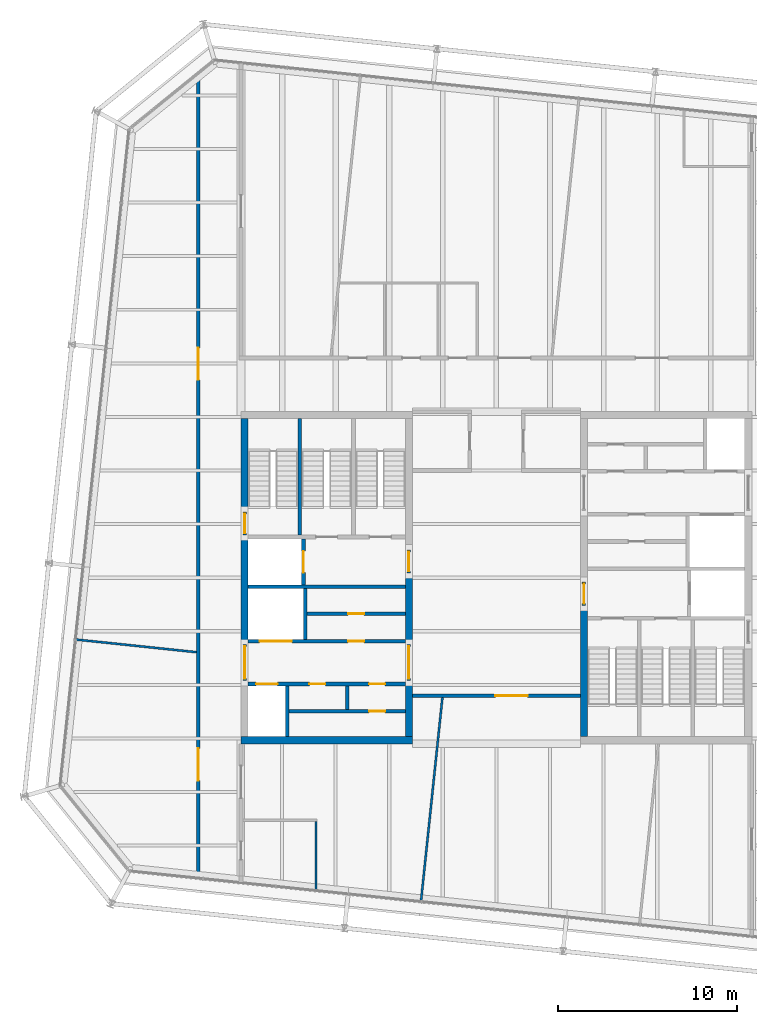
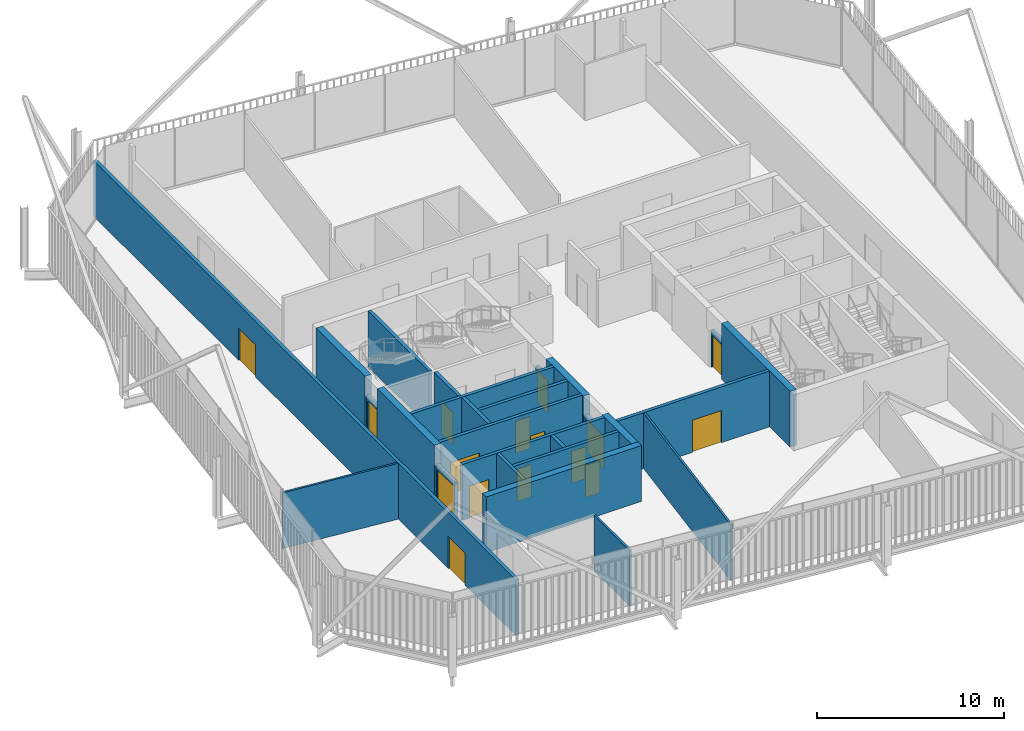
# One storey, part 17 of 21: 26 walls, 16 doors, 16 openings.
"""IFC4 building model written with IfcOpenShell, lengths in metres."""

from ifc_helpers import new_model, si_unit, direction, frame, frame_2d, origin, place, context, subcontext, project, spatial, rectangle, extrude, material, layer, layer_set, type_object, element, fill, save


model = new_model("IFC4")

# Units and contexts
model_context = context("Model", 3, precision=1e-05, world=origin(), true_north=direction((0.0, 1.0)))
body_context = subcontext(model_context, "Body", "Model", "MODEL_VIEW")
ifc_project = project(units=[si_unit("LENGTHUNIT", "METRE"), si_unit("AREAUNIT", "SQUARE_METRE"), si_unit("VOLUMEUNIT", "CUBIC_METRE"), si_unit("PLANEANGLEUNIT", "RADIAN"), si_unit("MASSUNIT", "GRAM", prefix="KILO")], contexts=[model_context])

# Site, building, storey
site_placement = place(None, origin())
site = spatial("IfcSite", under=ifc_project, at=site_placement, CompositionType="ELEMENT")
building_placement = place(site_placement, origin())
building = spatial("IfcBuilding", under=site, at=building_placement, Name="Millrace Tower", CompositionType="ELEMENT")
storey_placement = place(building_placement, frame((0.0, 0.0, 307.199951171875)))
storey = spatial("IfcBuildingStorey", under=building, at=storey_placement, Name="L71", CompositionType="ELEMENT", Elevation=307.199951171875)

# Walls
ifc_material_1 = material(Name="Concrete C60", Category="concrete")
ifc_layer_1 = layer(ifc_material_1, 0.39990234375)
ifc_layer_set_1 = layer_set([ifc_layer_1], Name="Concrete C60")
wall_type_1 = type_object("IfcWallType", Name="Core wall 400 Concrete C60", PredefinedType="SHEAR", material=ifc_layer_set_1)
wall_1_placement = place(storey_placement, frame((-14.300048828125, -9.10009765625, 0.0), z_axis=(0.0, 0.0, 1.0), x_axis=(1.0, 0.0, 0.0)))
element("IfcWall", 1, at=wall_1_placement, inside=storey, type_object=wall_type_1, Name="Core wall W L71", PredefinedType="SHEAR", context=body_context, shape_type="SweptSolid", body=[
    extrude(rectangle(XDim=9.60009765625, YDim=0.39990234375, at=frame_2d((4.800048828125, 0.0))), origin(), (0.0, 0.0, 1.0), 3.650146484375),
])
wall_2_placement = place(storey_placement, frame((-14.10009765625, -3.75, 0.0), z_axis=(0.0, 0.0, 1.0), x_axis=(0.0, 1.0, 0.0)))
element("IfcWall", 2, at=wall_2_placement, inside=storey, type_object=wall_type_1, Name="Core wall W L71", PredefinedType="SHEAR", context=body_context, shape_type="SweptSolid", body=[
    extrude(rectangle(XDim=6.1298828125, YDim=0.39990234375, at=frame_2d((3.06494140625, 0.0))), origin(), (0.0, 0.0, 1.0), 3.650146484375),
])
wall_3_placement = place(storey_placement, frame((-14.10009765625, 3.679931640625, 0.0), z_axis=(0.0, 0.0, 1.0), x_axis=(0.0, 1.0, 0.0)))
element("IfcWall", 3, at=wall_3_placement, inside=storey, type_object=wall_type_1, Name="Core wall W L71", PredefinedType="SHEAR", context=body_context, shape_type="SweptSolid", body=[
    extrude(rectangle(XDim=5.219970703125, YDim=0.39990234375, at=frame_2d((2.60986328125, 0.0))), origin(), (0.0, 0.0, 1.0), 3.650146484375),
])
wall_4_placement = place(storey_placement, frame((-4.89990234375, -8.89990234375, 0.0), z_axis=(0.0, 0.0, 1.0), x_axis=(0.0, 1.0, 0.0)))
element("IfcWall", 4, at=wall_4_placement, inside=storey, type_object=wall_type_1, Name="Core wall W L71", PredefinedType="SHEAR", context=body_context, shape_type="SweptSolid", body=[
    extrude(rectangle(XDim=3.14990234375, YDim=0.39990234375, at=frame_2d((1.574951171875, 0.0))), origin(), (0.0, 0.0, 1.0), 3.650146484375),
])
wall_5_placement = place(storey_placement, frame((-4.89990234375, -3.75, 0.0), z_axis=(0.0, 0.0, 1.0), x_axis=(0.0, 1.0, 0.0)))
element("IfcWall", 5, at=wall_5_placement, inside=storey, type_object=wall_type_1, Name="Core wall W L71", PredefinedType="SHEAR", context=body_context, shape_type="SweptSolid", body=[
    extrude(rectangle(XDim=4.0, YDim=0.39990234375, at=frame_2d((2.0, 0.0))), origin(), (0.0, 0.0, 1.0), 3.650146484375),
])
wall_6_placement = place(storey_placement, frame((4.89990234375, -1.550048828125, 0.0), z_axis=(0.0, 0.0, 1.0), x_axis=(0.0, -1.0, 0.0)))
element("IfcWall", 6, at=wall_6_placement, inside=storey, type_object=wall_type_1, Name="Core wall E L71", PredefinedType="SHEAR", context=body_context, shape_type="SweptSolid", body=[
    extrude(rectangle(XDim=7.349853515625, YDim=0.39990234375, at=frame_2d((3.6748046875, 0.0))), origin(), (0.0, 0.0, 1.0), 3.650146484375),
])

# Wall, opening, door
ifc_material_2 = material(Name="Masonry partition, fire-rated", Category="masonry")
ifc_layer_2 = layer(ifc_material_2, 0.199951171875)
ifc_layer_set_2 = layer_set([ifc_layer_2], Name="Masonry partition, fire-rated")
wall_type_2 = type_object("IfcWallType", Name="Corridor wall 200", PredefinedType="PARTITIONING", material=ifc_layer_set_2)
wall_7_placement = place(storey_placement, frame((-4.699951171875, -6.60009765625, 0.0), z_axis=(0.0, 0.0, 1.0), x_axis=(1.0, 0.0, 0.0)))
wall_7 = element("IfcWall", 7, at=wall_7_placement, inside=storey, type_object=wall_type_2, Name="Corridor wall L71", PredefinedType="PARTITIONING", context=body_context, shape_type="SweptSolid", body=[
    extrude(rectangle(XDim=9.39990234375, YDim=0.199951171875, at=frame_2d((4.699951171875, 0.0))), origin(), (0.0, 0.0, 1.0), 3.650146484375),
])
opening_1_placement = place(wall_7_placement, frame((4.64404296875, 0.0, 0.0)))
opening_1 = element("IfcOpeningElement", 8, at=opening_1_placement, cuts=wall_7, Name="Opening 71-P012", PredefinedType="OPENING", context=body_context, shape_type="SweptSolid", body=[
    extrude(rectangle(XDim=1.800048828125, YDim=2.10009765625, at=frame_2d((0.89990234375, 1.050048828125))), frame((0.0, 0.10986328125, 0.0), z_axis=(0.0, -1.0, 0.0), x_axis=(1.0, 0.0, 0.0)), (0.0, 0.0, 1.0), 0.219970703125),
])
ifc_material_3 = material(Name="Steel door set, fire-rated", Category="steel")
door_type_1 = type_object("IfcDoorType", Name="Corridor door 1800 x 2100", OperationType="DOUBLE_DOOR_SINGLE_SWING", PredefinedType="DOOR", material=ifc_material_3)
door_1_placement = place(opening_1_placement, frame((1.800048828125, 0.0, 0.0), z_axis=(0.0, 0.0, 1.0), x_axis=(-1.0, 0.0, 0.0)))
door_1 = element("IfcDoor", 9, at=door_1_placement, inside=storey, type_object=door_type_1, Name="Door 71-P012", OperationType="DOUBLE_DOOR_SINGLE_SWING", OverallHeight=2.10009765625, OverallWidth=1.800048828125, PredefinedType="DOOR", context=body_context, shape_type="SweptSolid", body=[
    extrude(rectangle(XDim=1.800048828125, YDim=2.10009765625, at=frame_2d((0.89990234375, 1.050048828125))), frame((0.0, 0.02490234375, 0.0), z_axis=(0.0, -1.0, 0.0), x_axis=(1.0, 0.0, 0.0)), (0.0, 0.0, 1.0), 0.050048828125),
])
fill(opening_1, door_1)

# Wall, openings, doors
wall_8_placement = place(storey_placement, frame((-16.699951171875, -16.779296875, 0.0), z_axis=(0.0, 0.0, 1.0), x_axis=(0.0, 1.0, 0.0)))
wall_8 = element("IfcWall", 10, at=wall_8_placement, inside=storey, type_object=wall_type_2, Name="Corridor wall L71", PredefinedType="PARTITIONING", context=body_context, shape_type="SweptSolid", body=[
    extrude(rectangle(XDim=45.16943359375, YDim=0.199951171875, at=frame_2d((22.584716796875, 0.0))), origin(), (0.0, 0.0, 1.0), 3.650146484375),
])
opening_2_placement = place(wall_8_placement, frame((5.4248046875, 0.0, 0.0)))
opening_2 = element("IfcOpeningElement", 11, at=opening_2_placement, cuts=wall_8, Name="Opening 71-P003", PredefinedType="OPENING", context=body_context, shape_type="SweptSolid", body=[
    extrude(rectangle(XDim=1.800048828125, YDim=2.10009765625, at=frame_2d((0.89990234375, 1.050048828125))), frame((0.0, 0.10986328125, 0.0), z_axis=(0.0, -1.0, 0.0), x_axis=(1.0, 0.0, 0.0)), (0.0, 0.0, 1.0), 0.219970703125),
])
opening_3_placement = place(wall_8_placement, frame((27.852294921875, 0.0, 0.0)))
opening_3 = element("IfcOpeningElement", 12, at=opening_3_placement, cuts=wall_8, Name="Opening 71-P004", PredefinedType="OPENING", context=body_context, shape_type="SweptSolid", body=[
    extrude(rectangle(XDim=1.800048828125, YDim=2.10009765625, at=frame_2d((0.89990234375, 1.050048828125))), frame((0.0, 0.10986328125, 0.0), z_axis=(0.0, -1.0, 0.0), x_axis=(1.0, 0.0, 0.0)), (0.0, 0.0, 1.0), 0.219970703125),
])
door_2_placement = place(opening_2_placement, origin())
door_2 = element("IfcDoor", 13, at=door_2_placement, inside=storey, type_object=door_type_1, Name="Door 71-P003", OperationType="DOUBLE_DOOR_SINGLE_SWING", OverallHeight=2.10009765625, OverallWidth=1.800048828125, PredefinedType="DOOR", context=body_context, shape_type="SweptSolid", body=[
    extrude(rectangle(XDim=1.800048828125, YDim=2.10009765625, at=frame_2d((0.89990234375, 1.050048828125))), frame((0.0, 0.02490234375, 0.0), z_axis=(0.0, -1.0, 0.0), x_axis=(1.0, 0.0, 0.0)), (0.0, 0.0, 1.0), 0.050048828125),
])
fill(opening_2, door_2)
door_3_placement = place(opening_3_placement, frame((1.800048828125, 0.0, 0.0), z_axis=(0.0, 0.0, 1.0), x_axis=(-1.0, 0.0, 0.0)))
door_3 = element("IfcDoor", 14, at=door_3_placement, inside=storey, type_object=door_type_1, Name="Door 71-P004", OperationType="DOUBLE_DOOR_SINGLE_SWING", OverallHeight=2.10009765625, OverallWidth=1.800048828125, PredefinedType="DOOR", context=body_context, shape_type="SweptSolid", body=[
    extrude(rectangle(XDim=1.800048828125, YDim=2.10009765625, at=frame_2d((0.89990234375, 1.050048828125))), frame((0.0, 0.02490234375, 0.0), z_axis=(0.0, -1.0, 0.0), x_axis=(1.0, 0.0, 0.0)), (0.0, 0.0, 1.0), 0.050048828125),
])
fill(opening_3, door_3)

ifc_material_4 = material(Name="Masonry partition, fire-rated", Category="masonry")
ifc_layer_3 = layer(ifc_material_4, 0.199951171875)
ifc_layer_set_3 = layer_set([ifc_layer_3], Name="Masonry partition, fire-rated")
wall_type_3 = type_object("IfcWallType", Name="Lift shaft wall 200", PredefinedType="PARTITIONING", material=ifc_layer_set_3)
wall_9_placement = place(storey_placement, frame((-13.89990234375, -5.949951171875, 0.0), z_axis=(0.0, 0.0, 1.0), x_axis=(1.0, 0.0, 0.0)))
wall_9 = element("IfcWall", 15, at=wall_9_placement, inside=storey, type_object=wall_type_3, Name="Lift shaft wall W L71", PredefinedType="PARTITIONING", context=body_context, shape_type="SweptSolid", body=[
    extrude(rectangle(XDim=8.7998046875, YDim=0.199951171875, at=frame_2d((4.39990234375, 0.0))), origin(), (0.0, 0.0, 1.0), 3.650146484375),
])
opening_4_placement = place(wall_9_placement, frame((0.449951171875, 0.0, 0.0)))
opening_4 = element("IfcOpeningElement", 16, at=opening_4_placement, cuts=wall_9, Name="Opening 71-LD01", PredefinedType="OPENING", context=body_context, shape_type="SweptSolid", body=[
    extrude(rectangle(XDim=1.199951171875, YDim=2.10009765625, at=frame_2d((0.60009765625, 1.050048828125))), frame((0.0, 0.10986328125, 0.0), z_axis=(0.0, -1.0, 0.0), x_axis=(1.0, 0.0, 0.0)), (0.0, 0.0, 1.0), 0.219970703125),
])
opening_5_placement = place(wall_9_placement, frame((3.425048828125, 0.0, 0.0)))
opening_5 = element("IfcOpeningElement", 17, at=opening_5_placement, cuts=wall_9, Name="Opening 71-C005", PredefinedType="OPENING", context=body_context, shape_type="SweptSolid", body=[
    extrude(rectangle(XDim=0.89990234375, YDim=2.10009765625, at=frame_2d((0.449951171875, 1.050048828125))), frame((0.0, 0.10986328125, 0.0), z_axis=(0.0, -1.0, 0.0), x_axis=(1.0, 0.0, 0.0)), (0.0, 0.0, 1.0), 0.219970703125),
])
opening_6_placement = place(wall_9_placement, frame((6.77490234375, 0.0, 0.0)))
opening_6 = element("IfcOpeningElement", 18, at=opening_6_placement, cuts=wall_9, Name="Opening 71-C006", PredefinedType="OPENING", context=body_context, shape_type="SweptSolid", body=[
    extrude(rectangle(XDim=0.89990234375, YDim=2.10009765625, at=frame_2d((0.449951171875, 1.050048828125))), frame((0.0, 0.10986328125, 0.0), z_axis=(0.0, -1.0, 0.0), x_axis=(1.0, 0.0, 0.0)), (0.0, 0.0, 1.0), 0.219970703125),
])
ifc_material_5 = material(Name="Stainless steel, fire-rated", Category="steel")
door_type_2 = type_object("IfcDoorType", Name="Lift landing door 1200 x 2100", OperationType="DOUBLE_DOOR_SLIDING", PredefinedType="DOOR", material=ifc_material_5)
door_4_placement = place(opening_4_placement, origin())
door_4 = element("IfcDoor", 19, at=door_4_placement, inside=storey, type_object=door_type_2, Name="Lift landing door LF1 L71", OperationType="DOUBLE_DOOR_SLIDING", OverallHeight=2.10009765625, OverallWidth=1.199951171875, PredefinedType="DOOR", context=body_context, shape_type="SweptSolid", body=[
    extrude(rectangle(XDim=1.199951171875, YDim=2.10009765625, at=frame_2d((0.60009765625, 1.050048828125))), frame((0.0, 0.02490234375, 0.0), z_axis=(0.0, -1.0, 0.0), x_axis=(1.0, 0.0, 0.0)), (0.0, 0.0, 1.0), 0.050048828125),
])
fill(opening_4, door_4)
ifc_material_6 = material(Name="Steel door, fire-rated", Category="steel")
door_type_3 = type_object("IfcDoorType", Name="Service room door 900 x 2100", OperationType="SINGLE_SWING_LEFT", PredefinedType="DOOR", material=ifc_material_6)
door_5_placement = place(opening_5_placement, origin())
door_5 = element("IfcDoor", 20, at=door_5_placement, inside=storey, type_object=door_type_3, Name="Service room door 71-C005", OperationType="SINGLE_SWING_LEFT", OverallHeight=2.10009765625, OverallWidth=0.89990234375, PredefinedType="DOOR", context=body_context, shape_type="SweptSolid", body=[
    extrude(rectangle(XDim=0.89990234375, YDim=2.10009765625, at=frame_2d((0.449951171875, 1.050048828125))), frame((0.0, 0.02490234375, 0.0), z_axis=(0.0, -1.0, 0.0), x_axis=(1.0, 0.0, 0.0)), (0.0, 0.0, 1.0), 0.050048828125),
])
fill(opening_5, door_5)
door_6_placement = place(opening_6_placement, origin())
door_6 = element("IfcDoor", 21, at=door_6_placement, inside=storey, type_object=door_type_3, Name="Service room door 71-C006", OperationType="SINGLE_SWING_RIGHT", OverallHeight=2.10009765625, OverallWidth=0.89990234375, PredefinedType="DOOR", context=body_context, shape_type="SweptSolid", body=[
    extrude(rectangle(XDim=0.89990234375, YDim=2.10009765625, at=frame_2d((0.449951171875, 1.050048828125))), frame((0.0, 0.02490234375, 0.0), z_axis=(0.0, -1.0, 0.0), x_axis=(1.0, 0.0, 0.0)), (0.0, 0.0, 1.0), 0.050048828125),
])
fill(opening_6, door_6)

wall_10_placement = place(storey_placement, frame((-13.89990234375, -3.550048828125, 0.0), z_axis=(0.0, 0.0, 1.0), x_axis=(1.0, 0.0, 0.0)))
wall_10 = element("IfcWall", 22, at=wall_10_placement, inside=storey, type_object=wall_type_3, Name="Lift shaft wall W L71", PredefinedType="PARTITIONING", context=body_context, shape_type="SweptSolid", body=[
    extrude(rectangle(XDim=8.7998046875, YDim=0.199951171875, at=frame_2d((4.39990234375, 0.0))), origin(), (0.0, 0.0, 1.0), 3.650146484375),
])
opening_7_placement = place(wall_10_placement, frame((0.64990234375, 0.0, 0.0)))
opening_7 = element("IfcOpeningElement", 23, at=opening_7_placement, cuts=wall_10, Name="Opening 71-LD05", PredefinedType="OPENING", context=body_context, shape_type="SweptSolid", body=[
    extrude(rectangle(XDim=1.800048828125, YDim=2.10009765625, at=frame_2d((0.89990234375, 1.050048828125))), frame((0.0, 0.10986328125, 0.0), z_axis=(0.0, -1.0, 0.0), x_axis=(1.0, 0.0, 0.0)), (0.0, 0.0, 1.0), 0.219970703125),
])
opening_8_placement = place(wall_10_placement, frame((5.60009765625, 0.0, 0.0)))
opening_8 = element("IfcOpeningElement", 24, at=opening_8_placement, cuts=wall_10, Name="Opening 71-C008", PredefinedType="OPENING", context=body_context, shape_type="SweptSolid", body=[
    extrude(rectangle(XDim=0.89990234375, YDim=2.10009765625, at=frame_2d((0.449951171875, 1.050048828125))), frame((0.0, 0.10986328125, 0.0), z_axis=(0.0, -1.0, 0.0), x_axis=(1.0, 0.0, 0.0)), (0.0, 0.0, 1.0), 0.219970703125),
])
ifc_material_7 = material(Name="Stainless steel, fire-rated", Category="steel")
door_type_4 = type_object("IfcDoorType", Name="Lift landing door 1800 x 2100", OperationType="DOUBLE_DOOR_SLIDING", PredefinedType="DOOR", material=ifc_material_7)
door_7_placement = place(opening_7_placement, origin())
door_7 = element("IfcDoor", 25, at=door_7_placement, inside=storey, type_object=door_type_4, Name="Lift landing door LF5 L71", OperationType="DOUBLE_DOOR_SLIDING", OverallHeight=2.10009765625, OverallWidth=1.800048828125, PredefinedType="DOOR", context=body_context, shape_type="SweptSolid", body=[
    extrude(rectangle(XDim=1.800048828125, YDim=2.10009765625, at=frame_2d((0.89990234375, 1.050048828125))), frame((0.0, 0.02490234375, 0.0), z_axis=(0.0, -1.0, 0.0), x_axis=(1.0, 0.0, 0.0)), (0.0, 0.0, 1.0), 0.050048828125),
])
fill(opening_7, door_7)
door_8_placement = place(opening_8_placement, frame((0.89990234375, 0.0, 0.0), z_axis=(0.0, 0.0, 1.0), x_axis=(-1.0, 0.0, 0.0)))
door_8 = element("IfcDoor", 26, at=door_8_placement, inside=storey, type_object=door_type_3, Name="Service room door 71-C008", OperationType="SINGLE_SWING_LEFT", OverallHeight=2.10009765625, OverallWidth=0.89990234375, PredefinedType="DOOR", context=body_context, shape_type="SweptSolid", body=[
    extrude(rectangle(XDim=0.89990234375, YDim=2.10009765625, at=frame_2d((0.449951171875, 1.050048828125))), frame((0.0, 0.02490234375, 0.0), z_axis=(0.0, -1.0, 0.0), x_axis=(1.0, 0.0, 0.0)), (0.0, 0.0, 1.0), 0.050048828125),
])
fill(opening_8, door_8)

# Wall
wall_11_placement = place(storey_placement, frame((-13.89990234375, -0.5, 0.0), z_axis=(0.0, 0.0, 1.0), x_axis=(1.0, 0.0, 0.0)))
element("IfcWall", 27, at=wall_11_placement, inside=storey, type_object=wall_type_3, Name="Lift shaft wall W L71", PredefinedType="PARTITIONING", context=body_context, shape_type="SweptSolid", body=[
    extrude(rectangle(XDim=8.7998046875, YDim=0.199951171875, at=frame_2d((4.39990234375, 0.0))), origin(), (0.0, 0.0, 1.0), 3.650146484375),
])

# Wall, opening, door
wall_12_placement = place(storey_placement, frame((-10.800048828125, -0.39990234375, 0.0), z_axis=(0.0, 0.0, 1.0), x_axis=(0.0, 1.0, 0.0)))
wall_12 = element("IfcWall", 28, at=wall_12_placement, inside=storey, type_object=wall_type_3, Name="Lift shaft wall W L71", PredefinedType="PARTITIONING", context=body_context, shape_type="SweptSolid", body=[
    extrude(rectangle(XDim=2.579833984375, YDim=0.199951171875, at=frame_2d((1.2900390625, 0.0))), origin(), (0.0, 0.0, 1.0), 3.650146484375),
])
opening_9_placement = place(wall_12_placement, frame((0.68994140625, 0.0, 0.0)))
opening_9 = element("IfcOpeningElement", 29, at=opening_9_placement, cuts=wall_12, Name="Opening 71-LD08", PredefinedType="OPENING", context=body_context, shape_type="SweptSolid", body=[
    extrude(rectangle(XDim=1.199951171875, YDim=2.10009765625, at=frame_2d((0.60009765625, 1.050048828125))), frame((0.0, 0.10986328125, 0.0), z_axis=(0.0, -1.0, 0.0), x_axis=(1.0, 0.0, 0.0)), (0.0, 0.0, 1.0), 0.219970703125),
])
door_9_placement = place(opening_9_placement, origin())
door_9 = element("IfcDoor", 30, at=door_9_placement, inside=storey, type_object=door_type_2, Name="Lift landing door LF8 L71", OperationType="DOUBLE_DOOR_SLIDING", OverallHeight=2.10009765625, OverallWidth=1.199951171875, PredefinedType="DOOR", context=body_context, shape_type="SweptSolid", body=[
    extrude(rectangle(XDim=1.199951171875, YDim=2.10009765625, at=frame_2d((0.60009765625, 1.050048828125))), frame((0.0, 0.02490234375, 0.0), z_axis=(0.0, -1.0, 0.0), x_axis=(1.0, 0.0, 0.0)), (0.0, 0.0, 1.0), 0.050048828125),
])
fill(opening_9, door_9)

# Walls
for number, where, z_axis, x_axis, name in (
    (31, (-11.699951171875, -8.89990234375, 0.0), (0.0, 0.0, 1.0), (0.0, 1.0, 0.0), "Lift shaft wall W L71"),
    (32, (-10.699951171875, -3.449951171875, 0.0), (0.0, 0.0, 1.0), (0.0, 1.0, 0.0), "Lift shaft wall W L71"),
):
    element("IfcWall", number, at=place(storey_placement, frame(where, z_axis=z_axis, x_axis=x_axis)), inside=storey, type_object=wall_type_3, Name=name, PredefinedType="PARTITIONING", context=body_context, shape_type="SweptSolid", body=[
        extrude(rectangle(XDim=2.849853515625, YDim=0.199951171875, at=frame_2d((1.4248046875, 0.0))), origin(), (0.0, 0.0, 1.0), 3.650146484375),
    ])

# Wall, opening, door
ifc_material_8 = material(Name="Masonry partition, fire-rated", Category="masonry")
ifc_layer_4 = layer(ifc_material_8, 0.199951171875)
ifc_layer_set_4 = layer_set([ifc_layer_4], Name="Masonry partition, fire-rated")
wall_type_4 = type_object("IfcWallType", Name="Lobby wall 200", PredefinedType="PARTITIONING", material=ifc_layer_set_4)
wall_13_placement = place(storey_placement, frame((-14.10009765625, -5.75, 0.0), z_axis=(0.0, 0.0, 1.0), x_axis=(0.0, 1.0, 0.0)))
wall_13 = element("IfcWall", 33, at=wall_13_placement, inside=storey, type_object=wall_type_4, Name="Lobby wall W L71", PredefinedType="PARTITIONING", context=body_context, shape_type="SweptSolid", body=[
    extrude(rectangle(XDim=2.0, YDim=0.199951171875, at=frame_2d((1.0, 0.0))), origin(), (0.0, 0.0, 1.0), 2.400146484375),
])
opening_10_placement = place(wall_13_placement, frame((0.10009765625, 0.0, 0.0)))
opening_10 = element("IfcOpeningElement", 34, at=opening_10_placement, cuts=wall_13, Name="Opening 71-C001", PredefinedType="OPENING", context=body_context, shape_type="SweptSolid", body=[
    extrude(rectangle(XDim=1.800048828125, YDim=2.10009765625, at=frame_2d((0.89990234375, 1.050048828125))), frame((0.0, 0.10986328125, 0.0), z_axis=(0.0, -1.0, 0.0), x_axis=(1.0, 0.0, 0.0)), (0.0, 0.0, 1.0), 0.219970703125),
])
ifc_material_9 = material(Name="Steel door, fire-rated", Category="steel")
door_type_5 = type_object("IfcDoorType", Name="Lobby door 1800 x 2100", OperationType="DOUBLE_DOOR_SINGLE_SWING", PredefinedType="DOOR", material=ifc_material_9)
door_10_placement = place(opening_10_placement, origin())
door_10 = element("IfcDoor", 35, at=door_10_placement, inside=storey, type_object=door_type_5, Name="Lobby door 71-C001", OperationType="DOUBLE_DOOR_SINGLE_SWING", OverallHeight=2.10009765625, OverallWidth=1.800048828125, PredefinedType="DOOR", context=body_context, shape_type="SweptSolid", body=[
    extrude(rectangle(XDim=1.800048828125, YDim=2.10009765625, at=frame_2d((0.89990234375, 1.050048828125))), frame((0.0, 0.02490234375, 0.0), z_axis=(0.0, -1.0, 0.0), x_axis=(1.0, 0.0, 0.0)), (0.0, 0.0, 1.0), 0.050048828125),
])
fill(opening_10, door_10)

wall_14_placement = place(storey_placement, frame((-4.89990234375, -5.75, 0.0), z_axis=(0.0, 0.0, 1.0), x_axis=(0.0, 1.0, 0.0)))
wall_14 = element("IfcWall", 36, at=wall_14_placement, inside=storey, type_object=wall_type_4, Name="Lobby wall W L71", PredefinedType="PARTITIONING", context=body_context, shape_type="SweptSolid", body=[
    extrude(rectangle(XDim=2.0, YDim=0.199951171875, at=frame_2d((1.0, 0.0))), origin(), (0.0, 0.0, 1.0), 2.400146484375),
])
opening_11_placement = place(wall_14_placement, frame((0.10009765625, 0.0, 0.0)))
opening_11 = element("IfcOpeningElement", 37, at=opening_11_placement, cuts=wall_14, Name="Opening 71-C003", PredefinedType="OPENING", context=body_context, shape_type="SweptSolid", body=[
    extrude(rectangle(XDim=1.800048828125, YDim=2.10009765625, at=frame_2d((0.89990234375, 1.050048828125))), frame((0.0, 0.10986328125, 0.0), z_axis=(0.0, -1.0, 0.0), x_axis=(1.0, 0.0, 0.0)), (0.0, 0.0, 1.0), 0.219970703125),
])
door_11_placement = place(opening_11_placement, frame((1.800048828125, 0.0, 0.0), z_axis=(0.0, 0.0, 1.0), x_axis=(-1.0, 0.0, 0.0)))
door_11 = element("IfcDoor", 38, at=door_11_placement, inside=storey, type_object=door_type_5, Name="Lobby door 71-C003", OperationType="DOUBLE_DOOR_SINGLE_SWING", OverallHeight=2.10009765625, OverallWidth=1.800048828125, PredefinedType="DOOR", context=body_context, shape_type="SweptSolid", body=[
    extrude(rectangle(XDim=1.800048828125, YDim=2.10009765625, at=frame_2d((0.89990234375, 1.050048828125))), frame((0.0, 0.02490234375, 0.0), z_axis=(0.0, -1.0, 0.0), x_axis=(1.0, 0.0, 0.0)), (0.0, 0.0, 1.0), 0.050048828125),
])
fill(opening_11, door_11)

wall_15_placement = place(storey_placement, frame((-4.89990234375, 0.25, 0.0), z_axis=(0.0, 0.0, 1.0), x_axis=(0.0, 1.0, 0.0)))
wall_15 = element("IfcWall", 39, at=wall_15_placement, inside=storey, type_object=wall_type_4, Name="Lobby wall W L71", PredefinedType="PARTITIONING", context=body_context, shape_type="SweptSolid", body=[
    extrude(rectangle(XDim=1.300048828125, YDim=0.199951171875, at=frame_2d((0.64990234375, 0.0))), origin(), (0.0, 0.0, 1.0), 2.400146484375),
])
opening_12_placement = place(wall_15_placement, frame((0.10009765625, 0.0, 0.0)))
opening_12 = element("IfcOpeningElement", 40, at=opening_12_placement, cuts=wall_15, Name="Opening 71-C004", PredefinedType="OPENING", context=body_context, shape_type="SweptSolid", body=[
    extrude(rectangle(XDim=1.10009765625, YDim=2.10009765625, at=frame_2d((0.550048828125, 1.050048828125))), frame((0.0, 0.10986328125, 0.0), z_axis=(0.0, -1.0, 0.0), x_axis=(1.0, 0.0, 0.0)), (0.0, 0.0, 1.0), 0.219970703125),
])
ifc_material_10 = material(Name="Steel door, fire-rated", Category="steel")
door_type_6 = type_object("IfcDoorType", Name="Lobby door 1100 x 2100", OperationType="SINGLE_SWING_LEFT", PredefinedType="DOOR", material=ifc_material_10)
door_12_placement = place(opening_12_placement, frame((1.10009765625, 0.0, 0.0), z_axis=(0.0, 0.0, 1.0), x_axis=(-1.0, 0.0, 0.0)))
door_12 = element("IfcDoor", 41, at=door_12_placement, inside=storey, type_object=door_type_6, Name="Lobby door 71-C004", OperationType="SINGLE_SWING_LEFT", OverallHeight=2.10009765625, OverallWidth=1.10009765625, PredefinedType="DOOR", context=body_context, shape_type="SweptSolid", body=[
    extrude(rectangle(XDim=1.10009765625, YDim=2.10009765625, at=frame_2d((0.550048828125, 1.050048828125))), frame((0.0, 0.02490234375, 0.0), z_axis=(0.0, -1.0, 0.0), x_axis=(1.0, 0.0, 0.0)), (0.0, 0.0, 1.0), 0.050048828125),
])
fill(opening_12, door_12)

wall_16_placement = place(storey_placement, frame((4.89990234375, -0.25, 0.0), z_axis=(0.0, 0.0, 1.0), x_axis=(0.0, -1.0, 0.0)))
wall_16 = element("IfcWall", 42, at=wall_16_placement, inside=storey, type_object=wall_type_4, Name="Lobby wall E L71", PredefinedType="PARTITIONING", context=body_context, shape_type="SweptSolid", body=[
    extrude(rectangle(XDim=1.300048828125, YDim=0.199951171875, at=frame_2d((0.64990234375, 0.0))), origin(), (0.0, 0.0, 1.0), 2.400146484375),
])
opening_13_placement = place(wall_16_placement, frame((0.10009765625, 0.0, 0.0)))
opening_13 = element("IfcOpeningElement", 43, at=opening_13_placement, cuts=wall_16, Name="Opening 71-C015", PredefinedType="OPENING", context=body_context, shape_type="SweptSolid", body=[
    extrude(rectangle(XDim=1.10009765625, YDim=2.10009765625, at=frame_2d((0.550048828125, 1.050048828125))), frame((0.0, 0.10986328125, 0.0), z_axis=(0.0, -1.0, 0.0), x_axis=(1.0, 0.0, 0.0)), (0.0, 0.0, 1.0), 0.219970703125),
])
door_13_placement = place(opening_13_placement, frame((1.10009765625, 0.0, 0.0), z_axis=(0.0, 0.0, 1.0), x_axis=(-1.0, 0.0, 0.0)))
door_13 = element("IfcDoor", 44, at=door_13_placement, inside=storey, type_object=door_type_6, Name="Lobby door 71-C015", OperationType="SINGLE_SWING_RIGHT", OverallHeight=2.10009765625, OverallWidth=1.10009765625, PredefinedType="DOOR", context=body_context, shape_type="SweptSolid", body=[
    extrude(rectangle(XDim=1.10009765625, YDim=2.10009765625, at=frame_2d((0.550048828125, 1.050048828125))), frame((0.0, 0.02490234375, 0.0), z_axis=(0.0, -1.0, 0.0), x_axis=(1.0, 0.0, 0.0)), (0.0, 0.0, 1.0), 0.050048828125),
])
fill(opening_13, door_13)

# Walls
ifc_material_11 = material(Name="Gypsum board partition")
ifc_layer_5 = layer(ifc_material_11, 0.1201171875)
ifc_layer_set_5 = layer_set([ifc_layer_5], Name="Gypsum board partition")
wall_type_5 = type_object("IfcWallType", Name="Partition wall 120", PredefinedType="PARTITIONING", material=ifc_layer_set_5)
wall_17_placement = place(storey_placement, frame((-23.526611328125, -3.462890625, 0.0), z_axis=(0.0, 0.0, 1.0), x_axis=(0.994529554987, -0.104455561157, 0.0)))
element("IfcWall", 45, at=wall_17_placement, inside=storey, type_object=wall_type_5, Name="Partition wall L71", PredefinedType="PARTITIONING", context=body_context, shape_type="SweptSolid", body=[
    extrude(rectangle(XDim=6.76416015625, YDim=0.1201171875, at=frame_2d((3.382080078125, 0.0))), origin(), (0.0, 0.0, 1.0), 3.650146484375),
])
wall_18_placement = place(storey_placement, frame((-4.22021484375, -18.0908203125, 0.0), z_axis=(0.0, 0.0, 1.0), x_axis=(0.104569393031, 0.994517592625, 0.0)))
element("IfcWall", 46, at=wall_18_placement, inside=storey, type_object=wall_type_5, Name="Partition wall L71", PredefinedType="PARTITIONING", context=body_context, shape_type="SweptSolid", body=[
    extrude(rectangle(XDim=11.4541015625, YDim=0.1201171875, at=frame_2d((5.72705078125, 0.0))), origin(), (0.0, 0.0, 1.0), 3.650146484375),
])
wall_19_placement = place(storey_placement, frame((-10.10009765625, -17.472900390625, 0.0), z_axis=(0.0, 0.0, 1.0), x_axis=(0.0, 1.0, 0.0)))
element("IfcWall", 47, at=wall_19_placement, inside=storey, type_object=wall_type_5, Name="Partition wall L71", PredefinedType="PARTITIONING", context=body_context, shape_type="SweptSolid", body=[
    extrude(rectangle(XDim=3.831787109375, YDim=0.1201171875, at=frame_2d((1.916015625, 0.0))), origin(), (0.0, 0.0, 1.0), 3.650146484375),
])

# Wall, opening, door
ifc_material_12 = material(Name="Masonry partition, fire-rated", Category="masonry")
ifc_layer_6 = layer(ifc_material_12, 0.199951171875)
ifc_layer_set_6 = layer_set([ifc_layer_6], Name="Masonry partition, fire-rated")
wall_type_6 = type_object("IfcWallType", Name="Room partition 200", PredefinedType="PARTITIONING", material=ifc_layer_set_6)
wall_20_placement = place(storey_placement, frame((-11.60009765625, -7.47509765625, 0.0), z_axis=(0.0, 0.0, 1.0), x_axis=(1.0, 0.0, 0.0)))
wall_20 = element("IfcWall", 48, at=wall_20_placement, inside=storey, type_object=wall_type_6, Name="Room partition W L71", PredefinedType="PARTITIONING", context=body_context, shape_type="SweptSolid", body=[
    extrude(rectangle(XDim=6.5, YDim=0.199951171875, at=frame_2d((3.25, 0.0))), origin(), (0.0, 0.0, 1.0), 3.650146484375),
])
opening_14_placement = place(wall_20_placement, frame((4.47509765625, 0.0, 0.0)))
opening_14 = element("IfcOpeningElement", 49, at=opening_14_placement, cuts=wall_20, Name="Opening 71-C007", PredefinedType="OPENING", context=body_context, shape_type="SweptSolid", body=[
    extrude(rectangle(XDim=0.89990234375, YDim=2.10009765625, at=frame_2d((0.449951171875, 1.050048828125))), frame((0.0, 0.10986328125, 0.0), z_axis=(0.0, -1.0, 0.0), x_axis=(1.0, 0.0, 0.0)), (0.0, 0.0, 1.0), 0.219970703125),
])
door_14_placement = place(opening_14_placement, frame((0.89990234375, 0.0, 0.0), z_axis=(0.0, 0.0, 1.0), x_axis=(-1.0, 0.0, 0.0)))
door_14 = element("IfcDoor", 50, at=door_14_placement, inside=storey, type_object=door_type_3, Name="Service room door 71-C007", OperationType="SINGLE_SWING_LEFT", OverallHeight=2.10009765625, OverallWidth=0.89990234375, PredefinedType="DOOR", context=body_context, shape_type="SweptSolid", body=[
    extrude(rectangle(XDim=0.89990234375, YDim=2.10009765625, at=frame_2d((0.449951171875, 1.050048828125))), frame((0.0, 0.02490234375, 0.0), z_axis=(0.0, -1.0, 0.0), x_axis=(1.0, 0.0, 0.0)), (0.0, 0.0, 1.0), 0.050048828125),
])
fill(opening_14, door_14)

# Wall
wall_21_placement = place(storey_placement, frame((-8.35009765625, -7.375, 0.0), z_axis=(0.0, 0.0, 1.0), x_axis=(0.0, 1.0, 0.0)))
element("IfcWall", 51, at=wall_21_placement, inside=storey, type_object=wall_type_6, Name="Room partition W L71", PredefinedType="PARTITIONING", context=body_context, shape_type="SweptSolid", body=[
    extrude(rectangle(XDim=1.324951171875, YDim=0.199951171875, at=frame_2d((0.66259765625, 0.0))), origin(), (0.0, 0.0, 1.0), 3.650146484375),
])

# Wall, opening, door
wall_22_placement = place(storey_placement, frame((-10.60009765625, -2.02490234375, 0.0), z_axis=(0.0, 0.0, 1.0), x_axis=(1.0, 0.0, 0.0)))
wall_22 = element("IfcWall", 52, at=wall_22_placement, inside=storey, type_object=wall_type_6, Name="Room partition W L71", PredefinedType="PARTITIONING", context=body_context, shape_type="SweptSolid", body=[
    extrude(rectangle(XDim=5.5, YDim=0.199951171875, at=frame_2d((2.75, 0.0))), origin(), (0.0, 0.0, 1.0), 3.650146484375),
])
opening_15_placement = place(wall_22_placement, frame((2.300048828125, 0.0, 0.0)))
opening_15 = element("IfcOpeningElement", 53, at=opening_15_placement, cuts=wall_22, Name="Opening 71-C009", PredefinedType="OPENING", context=body_context, shape_type="SweptSolid", body=[
    extrude(rectangle(XDim=0.89990234375, YDim=2.10009765625, at=frame_2d((0.449951171875, 1.050048828125))), frame((0.0, 0.10986328125, 0.0), z_axis=(0.0, -1.0, 0.0), x_axis=(1.0, 0.0, 0.0)), (0.0, 0.0, 1.0), 0.219970703125),
])
door_15_placement = place(opening_15_placement, origin())
door_15 = element("IfcDoor", 54, at=door_15_placement, inside=storey, type_object=door_type_3, Name="Service room door 71-C009", OperationType="SINGLE_SWING_LEFT", OverallHeight=2.10009765625, OverallWidth=0.89990234375, PredefinedType="DOOR", context=body_context, shape_type="SweptSolid", body=[
    extrude(rectangle(XDim=0.89990234375, YDim=2.10009765625, at=frame_2d((0.449951171875, 1.050048828125))), frame((0.0, 0.02490234375, 0.0), z_axis=(0.0, -1.0, 0.0), x_axis=(1.0, 0.0, 0.0)), (0.0, 0.0, 1.0), 0.050048828125),
])
fill(opening_15, door_15)

ifc_material_13 = material(Name="Concrete C40", Category="concrete")
ifc_layer_7 = layer(ifc_material_13, 0.199951171875)
ifc_layer_set_7 = layer_set([ifc_layer_7], Name="Concrete C40")
wall_type_7 = type_object("IfcWallType", Name="Stair enclosure wall 200 Concrete C40", PredefinedType="SHEAR", material=ifc_layer_set_7)
wall_23_placement = place(storey_placement, frame((-14.10009765625, 2.3798828125, 0.0), z_axis=(0.0, 0.0, 1.0), x_axis=(0.0, 1.0, 0.0)))
wall_23 = element("IfcWall", 55, at=wall_23_placement, inside=storey, type_object=wall_type_7, Name="Stair enclosure wall W L71", PredefinedType="SHEAR", context=body_context, shape_type="SweptSolid", body=[
    extrude(rectangle(XDim=1.300048828125, YDim=0.199951171875, at=frame_2d((0.64990234375, 0.0))), origin(), (0.0, 0.0, 1.0), 2.400146484375),
])
opening_16_placement = place(wall_23_placement, frame((0.10009765625, 0.0, 0.0)))
opening_16 = element("IfcOpeningElement", 56, at=opening_16_placement, cuts=wall_23, Name="Opening 71-C002", PredefinedType="OPENING", context=body_context, shape_type="SweptSolid", body=[
    extrude(rectangle(XDim=1.10009765625, YDim=2.10009765625, at=frame_2d((0.550048828125, 1.050048828125))), frame((0.0, 0.10986328125, 0.0), z_axis=(0.0, -1.0, 0.0), x_axis=(1.0, 0.0, 0.0)), (0.0, 0.0, 1.0), 0.219970703125),
])
ifc_material_14 = material(Name="Steel door, fire-rated", Category="steel")
door_type_7 = type_object("IfcDoorType", Name="Stair door 1100 x 2100", OperationType="SINGLE_SWING_LEFT", PredefinedType="DOOR", material=ifc_material_14)
door_16_placement = place(opening_16_placement, origin())
door_16 = element("IfcDoor", 57, at=door_16_placement, inside=storey, type_object=door_type_7, Name="Stair door 71-C002", OperationType="SINGLE_SWING_RIGHT", OverallHeight=2.10009765625, OverallWidth=1.10009765625, PredefinedType="DOOR", context=body_context, shape_type="SweptSolid", body=[
    extrude(rectangle(XDim=1.10009765625, YDim=2.10009765625, at=frame_2d((0.550048828125, 1.050048828125))), frame((0.0, 0.02490234375, 0.0), z_axis=(0.0, -1.0, 0.0), x_axis=(1.0, 0.0, 0.0)), (0.0, 0.0, 1.0), 0.050048828125),
])
fill(opening_16, door_16)

# Wall
wall_24_placement = place(storey_placement, frame((-11.0, 2.3798828125, 0.0), z_axis=(0.0, 0.0, 1.0), x_axis=(0.0, 1.0, 0.0)))
element("IfcWall", 58, at=wall_24_placement, inside=storey, type_object=wall_type_7, Name="Stair enclosure wall W L71", PredefinedType="SHEAR", context=body_context, shape_type="SweptSolid", body=[
    extrude(rectangle(XDim=6.52001953125, YDim=0.199951171875, at=frame_2d((3.260009765625, 0.0))), origin(), (0.0, 0.0, 1.0), 3.650146484375),
])

save(model, "model.ifc")
